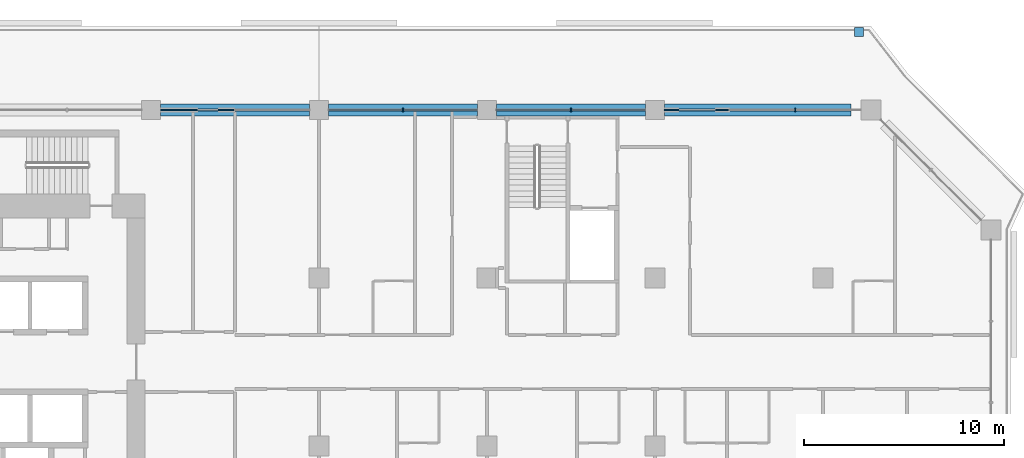
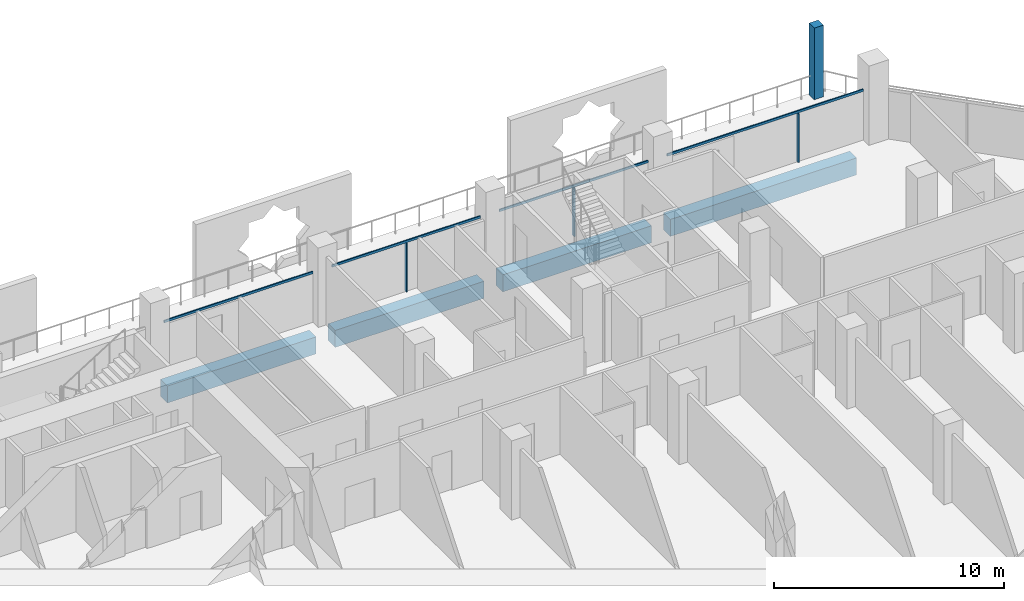
# One storey, part 6 of 22: 8 members, 4 beams, 2 elements without a shape of their own.
"""IFC4 building model written with IfcOpenShell, lengths in metres."""

from ifc_helpers import new_model, si_unit, direction, frame, origin, origin_2d, place, context, subcontext, project, spatial, rectangle, extrude, material, layer, layer_set, material_profile, profile_set, type_object, element, aggregate, save


model = new_model("IFC4")

# Units and contexts
model_context = context("Model", 3, precision=1e-05, world=origin(), true_north=direction((0.0, 1.0)))
body_context = subcontext(model_context, "Body", "Model", "MODEL_VIEW")
ifc_project = project(units=[si_unit("LENGTHUNIT", "METRE"), si_unit("AREAUNIT", "SQUARE_METRE"), si_unit("VOLUMEUNIT", "CUBIC_METRE"), si_unit("PLANEANGLEUNIT", "RADIAN"), si_unit("MASSUNIT", "GRAM", prefix="KILO")], contexts=[model_context])

# Site, building, storey
site_placement = place(None, origin())
site = spatial("IfcSite", under=ifc_project, at=site_placement, CompositionType="ELEMENT")
building_placement = place(site_placement, origin())
building = spatial("IfcBuilding", under=site, at=building_placement, Name="Kawkab Arch Medical Tower", CompositionType="ELEMENT")
storey_placement = place(building_placement, frame((0.0, 0.0, 171.0)))
storey = spatial("IfcBuildingStorey", under=building, at=storey_placement, Name="L39", CompositionType="ELEMENT", Elevation=171.0)

# Curtain wall, members
ifc_material_1 = material(Name="Bronze anodised aluminium curtain wall frame", Category="aluminium")
ifc_layer_1 = layer(ifc_material_1, 0.159912109375)
ifc_layer_set_1 = layer_set([ifc_layer_1], Name="Bronze anodised aluminium curtain wall frame")
curtain_wall_type_1 = type_object("IfcCurtainWallType", Name="CW1 ward curtain wall", PredefinedType="NOTDEFINED", material=ifc_layer_set_1)
placement = place(storey_placement, origin())
curtain_wall_1 = element("IfcCurtainWall", 1, at=placement, inside=storey, type_object=curtain_wall_type_1, Name="CW1 Ward curtain wall R11", PredefinedType="NOTDEFINED")
ifc_material_2 = material(Name="Bronze anodised aluminium curtain wall frame", Category="aluminium")
ifc_material_profile_1 = material_profile(ifc_material_2, rectangle(XDim=0.179931640625, YDim=0.06005859375, at=origin_2d()), Name="AL 60x180")
ifc_profile_set_1 = profile_set([ifc_material_profile_1], Name="Bronze anodised aluminium curtain wall frame")
member_type_1 = type_object("IfcMemberType", Name="CW1 mullion 60 x 180", PredefinedType="MULLION", material=ifc_profile_set_1)
member_1_placement = place(storey_placement, frame((57.425048828125, 0.0, 0.0), z_axis=(0.0, 0.0, 1.0), x_axis=(0.0, -1.0, 0.0)))
member_1 = element("IfcMember", 2, at=member_1_placement, type_object=member_type_1, Name="CW1 mullion 1.1", PredefinedType="MULLION", context=body_context, shape_type="SweptSolid", body=[
    extrude(rectangle(XDim=0.179931640625, YDim=0.06005859375, at=origin_2d()), origin(), (0.0, 0.0, 1.0), 2.580078125),
])
member_2_placement = place(storey_placement, frame((46.199951171875, 0.0, 0.0), z_axis=(0.0, 0.0, 1.0), x_axis=(0.0, -1.0, 0.0)))
member_2 = element("IfcMember", 3, at=member_2_placement, type_object=member_type_1, Name="CW1 mullion 2.1", PredefinedType="MULLION", context=body_context, shape_type="SweptSolid", body=[
    extrude(rectangle(XDim=0.179931640625, YDim=0.06005859375, at=origin_2d()), origin(), (0.0, 0.0, 1.0), 2.580078125),
])
member_3_placement = place(storey_placement, frame((37.800048828125, 0.0, 0.0), z_axis=(0.0, 0.0, 1.0), x_axis=(0.0, -1.0, 0.0)))
member_3 = element("IfcMember", 4, at=member_3_placement, type_object=member_type_1, Name="CW1 mullion 3.1", PredefinedType="MULLION", context=body_context, shape_type="SweptSolid", body=[
    extrude(rectangle(XDim=0.179931640625, YDim=0.06005859375, at=origin_2d()), origin(), (0.0, 0.0, 1.0), 2.580078125),
])
ifc_material_3 = material(Name="Bronze anodised aluminium curtain wall frame", Category="aluminium")
ifc_material_profile_2 = material_profile(ifc_material_3, rectangle(XDim=0.06005859375, YDim=0.1201171875, at=origin_2d()), Name="AL 60x120")
ifc_profile_set_2 = profile_set([ifc_material_profile_2], Name="Bronze anodised aluminium curtain wall frame")
member_type_2 = type_object("IfcMemberType", Name="CW1 transom 120 x 60", PredefinedType="USERDEFINED", material=ifc_profile_set_2)
member_4_placement = place(storey_placement, frame((60.699951171875, 0.0, 2.639892578125), z_axis=(-1.0, 0.0, 0.0), x_axis=(0.0, -1.0, 0.0)))
member_4 = element("IfcMember", 5, at=member_4_placement, type_object=member_type_2, Name="CW1 transom 1", ObjectType="TRANSOM", PredefinedType="USERDEFINED", context=body_context, shape_type="SweptSolid", body=[
    extrude(rectangle(XDim=0.06005859375, YDim=0.1201171875, at=origin_2d()), origin(), (0.0, 0.0, 1.0), 9.824951171875),
])
member_5_placement = place(storey_placement, frame((49.925048828125, 0.0, 2.639892578125), z_axis=(-1.0, 0.0, 0.0), x_axis=(0.0, -1.0, 0.0)))
member_5 = element("IfcMember", 6, at=member_5_placement, type_object=member_type_2, Name="CW1 transom 2", ObjectType="TRANSOM", PredefinedType="USERDEFINED", context=body_context, shape_type="SweptSolid", body=[
    extrude(rectangle(XDim=0.06005859375, YDim=0.1201171875, at=origin_2d()), origin(), (0.0, 0.0, 1.0), 7.449951171875),
])
member_6_placement = place(storey_placement, frame((41.52490234375, 0.0, 2.639892578125), z_axis=(-1.0, 0.0, 0.0), x_axis=(0.0, -1.0, 0.0)))
member_6 = element("IfcMember", 7, at=member_6_placement, type_object=member_type_2, Name="CW1 transom 3", ObjectType="TRANSOM", PredefinedType="USERDEFINED", context=body_context, shape_type="SweptSolid", body=[
    extrude(rectangle(XDim=0.06005859375, YDim=0.1201171875, at=origin_2d()), origin(), (0.0, 0.0, 1.0), 7.449951171875),
])
member_7_placement = place(storey_placement, frame((33.125, 0.0, 2.639892578125), z_axis=(-1.0, 0.0, 0.0), x_axis=(0.0, -1.0, 0.0)))
member_7 = element("IfcMember", 8, at=member_7_placement, type_object=member_type_2, Name="CW1 transom 4", ObjectType="TRANSOM", PredefinedType="USERDEFINED", context=body_context, shape_type="SweptSolid", body=[
    extrude(rectangle(XDim=0.06005859375, YDim=0.1201171875, at=origin_2d()), origin(), (0.0, 0.0, 1.0), 7.449951171875),
])
aggregate(curtain_wall_1, [member_4, member_1, member_5, member_2, member_6, member_3, member_7])

# Curtain wall, member
ifc_material_4 = material(Name="Bronze anodised aluminium climber frame, planted", Category="aluminium")
ifc_layer_2 = layer(ifc_material_4, 0.449951171875)
ifc_layer_set_2 = layer_set([ifc_layer_2], Name="Bronze anodised aluminium climber frame, planted")
curtain_wall_type_2 = type_object("IfcCurtainWallType", Name="Planted climber frame", PredefinedType="NOTDEFINED", material=ifc_layer_set_2)
curtain_wall_2 = element("IfcCurtainWall", 9, at=placement, inside=storey, type_object=curtain_wall_type_2, Name="Planted climber frame L39", PredefinedType="NOTDEFINED")
ifc_material_5 = material(Name="Bronze anodised aluminium climber frame, planted", Category="aluminium")
ifc_material_profile_3 = material_profile(ifc_material_5, rectangle(XDim=0.449951171875, YDim=0.449951171875, at=origin_2d()), Name="Post 450x450")
ifc_profile_set_3 = profile_set([ifc_material_profile_3], Name="Bronze anodised aluminium climber frame, planted")
member_type_3 = type_object("IfcMemberType", Name="Planted climber post 450 x 450", PredefinedType="MULLION", material=ifc_profile_set_3)
member_8_placement = place(storey_placement, frame((60.60302734375, 3.89990234375, 0.0), z_axis=(0.0, 0.0, 1.0), x_axis=(1.0, 0.0, 0.0)))
member_8 = element("IfcMember", 10, at=member_8_placement, type_object=member_type_3, Name="Planted climber post L39.LOG-01-01.2", PredefinedType="MULLION", context=body_context, shape_type="SweptSolid", body=[
    extrude(rectangle(XDim=0.449951171875, YDim=0.449951171875, at=origin_2d()), origin(), (0.0, 0.0, 1.0), 3.800048828125),
])
aggregate(curtain_wall_2, [member_8])

# Beams
ifc_material_6 = material(Name="Concrete C50/60", Category="concrete")
ifc_material_profile_4 = material_profile(ifc_material_6, rectangle(XDim=0.60009765625, YDim=0.89990234375, at=origin_2d()), Name="RC 600x900")
ifc_profile_set_4 = profile_set([ifc_material_profile_4], Name="Concrete C50/60")
beam_type = type_object("IfcBeamType", Name="RC 600x900 beam C50/60", PredefinedType="BEAM", material=ifc_profile_set_4)
for number, where, z_axis, x_axis, name in (
    (11, (25.675048828125, 0.0, -1.050048828125), (1.0, 0.0, 0.0), (0.0, 1.0, 0.0), "Overhang edge beam L39-04"),
    (12, (34.074951171875, 0.0, -1.050048828125), (1.0, 0.0, 0.0), (0.0, 1.0, 0.0), "Overhang edge beam L39-05"),
    (13, (42.47509765625, 0.0, -1.050048828125), (1.0, 0.0, 0.0), (0.0, 1.0, 0.0), "Overhang edge beam L39-06"),
):
    element("IfcBeam", number, at=place(storey_placement, frame(where, z_axis=z_axis, x_axis=x_axis)), inside=storey, type_object=beam_type, Name=name, PredefinedType="BEAM", context=body_context, shape_type="SweptSolid", body=[
        extrude(rectangle(XDim=0.60009765625, YDim=0.89990234375, at=origin_2d()), origin(), (0.0, 0.0, 1.0), 7.449951171875),
    ])
beam_placement = place(storey_placement, frame((50.875, 0.0, -1.050048828125), z_axis=(1.0, 0.0, 0.0), x_axis=(0.0, 1.0, 0.0)))
element("IfcBeam", 14, at=beam_placement, inside=storey, type_object=beam_type, Name="Overhang edge beam L39-07", PredefinedType="BEAM", context=body_context, shape_type="SweptSolid", body=[
    extrude(rectangle(XDim=0.60009765625, YDim=0.89990234375, at=origin_2d()), origin(), (0.0, 0.0, 1.0), 9.324951171875),
])

save(model, "model.ifc")
